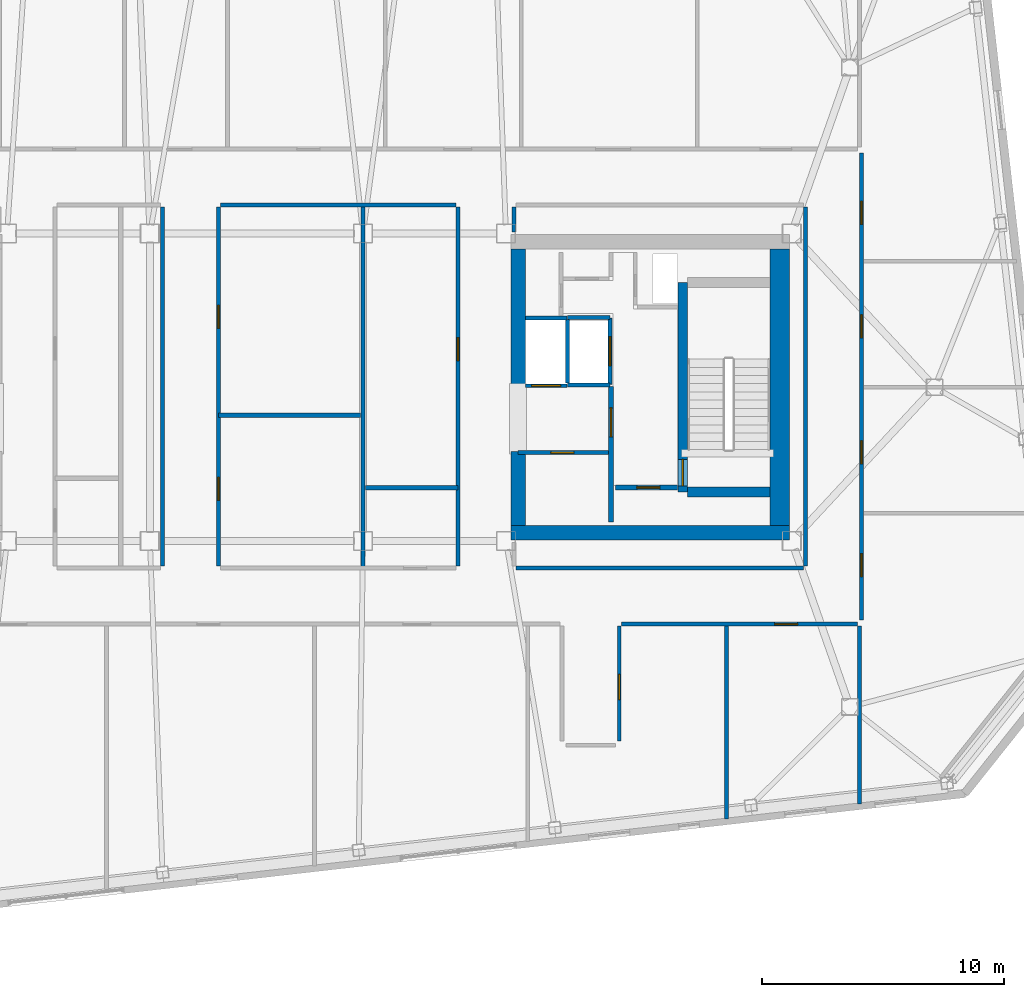
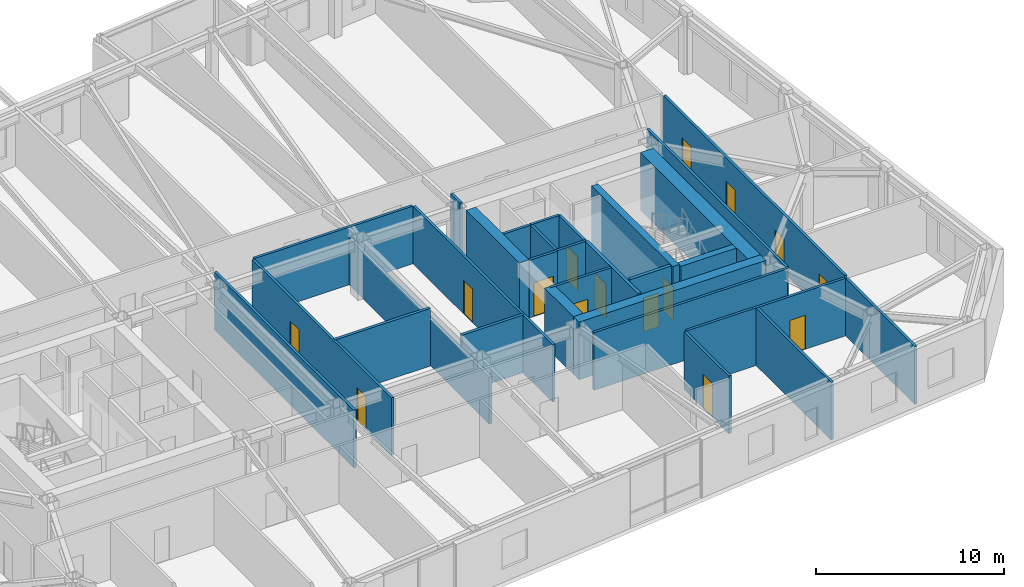
# One storey, part 16 of 21: 30 walls, 15 doors, 15 openings.
"""IFC4 building model written with IfcOpenShell, lengths in metres."""

from ifc_helpers import new_model, si_unit, direction, frame, frame_2d, origin, place, context, subcontext, project, spatial, rectangle, extrude, material, layer, layer_set, type_object, element, fill, save


model = new_model("IFC4")

# Units and contexts
model_context = context("Model", 3, precision=1e-05, world=origin(), true_north=direction((0.0, 1.0)))
body_context = subcontext(model_context, "Body", "Model", "MODEL_VIEW")
ifc_project = project(units=[si_unit("LENGTHUNIT", "METRE"), si_unit("AREAUNIT", "SQUARE_METRE"), si_unit("VOLUMEUNIT", "CUBIC_METRE"), si_unit("PLANEANGLEUNIT", "RADIAN"), si_unit("MASSUNIT", "GRAM", prefix="KILO")], contexts=[model_context])

# Site, building, storey
site_placement = place(None, origin())
site = spatial("IfcSite", under=ifc_project, at=site_placement, CompositionType="ELEMENT")
building_placement = place(site_placement, origin())
building = spatial("IfcBuilding", under=site, at=building_placement, Name="Tavrogorsk Clinical Tower", CompositionType="ELEMENT")
storey_placement = place(building_placement, frame((0.0, 0.0, 247.0)))
storey = spatial("IfcBuildingStorey", under=building, at=storey_placement, Name="L57", CompositionType="ELEMENT", Elevation=247.0)

# Wall, opening, door
ifc_material_1 = material(Name="Concrete B60", Category="concrete")
ifc_layer_1 = layer(ifc_material_1, 0.199951171875)
ifc_layer_set_1 = layer_set([ifc_layer_1], Name="Concrete B60")
wall_type_1 = type_object("IfcWallType", Name="CoreFireWall_200", PredefinedType="SOLIDWALL", material=ifc_layer_set_1)
wall_1_placement = place(storey_placement, frame((14.824951171875, -4.139892578125, 0.0), z_axis=(0.0, 0.0, 1.0), x_axis=(1.0, 0.0, 0.0)))
wall_1 = element("IfcWall", 1, at=wall_1_placement, inside=storey, type_object=wall_type_1, Name="L57 Core East South Core Room Fire Wall", PredefinedType="SOLIDWALL", context=body_context, shape_type="SweptSolid", body=[
    extrude(rectangle(XDim=2.554931640625, YDim=0.199951171875, at=frame_2d((1.27734375, 0.0))), origin(), (0.0, 0.0, 1.0), 3.739990234375),
])
opening_1_placement = place(wall_1_placement, frame((0.8798828125, 0.0, 0.0)))
opening_1 = element("IfcOpeningElement", 2, at=opening_1_placement, cuts=wall_1, Name="Opening ID-02", PredefinedType="OPENING", context=body_context, shape_type="SweptSolid", body=[
    extrude(rectangle(XDim=0.949951171875, YDim=2.199951171875, at=frame_2d((0.47509765625, 1.10009765625))), frame((0.0, 0.10986328125, 0.0), z_axis=(0.0, -1.0, 0.0), x_axis=(1.0, 0.0, 0.0)), (0.0, 0.0, 1.0), 0.219970703125),
])
ifc_material_2 = material(Name="Laminated timber leaf on aluminium frame", Category="wood")
door_type_1 = type_object("IfcDoorType", Name="InteriorDoor_ID02_950", OperationType="NOTDEFINED", PredefinedType="DOOR", material=ifc_material_2)
door_1_placement = place(opening_1_placement, origin())
door_1 = element("IfcDoor", 3, at=door_1_placement, inside=storey, type_object=door_type_1, Name="L57 Core East South Core Room Door", OperationType="SINGLE_SWING_RIGHT", OverallHeight=2.199951171875, OverallWidth=0.949951171875, PredefinedType="DOOR", context=body_context, shape_type="SweptSolid", body=[
    extrude(rectangle(XDim=0.949951171875, YDim=2.199951171875, at=frame_2d((0.47509765625, 1.10009765625))), frame((0.0, 0.02490234375, 0.0), z_axis=(0.0, -1.0, 0.0), x_axis=(1.0, 0.0, 0.0)), (0.0, 0.0, 1.0), 0.050048828125),
])
fill(opening_1, door_1)

wall_2_placement = place(storey_placement, frame((14.639892578125, -5.56005859375, 0.0), z_axis=(0.0, 0.0, 1.0), x_axis=(0.0, 1.0, 0.0)))
wall_2 = element("IfcWall", 4, at=wall_2_placement, inside=storey, type_object=wall_type_1, Name="L57 Core East Firefighting Lobby Fire Wall", PredefinedType="SOLIDWALL", context=body_context, shape_type="SweptSolid", body=[
    extrude(rectangle(XDim=5.60009765625, YDim=0.199951171875, at=frame_2d((2.800048828125, 0.0))), origin(), (0.0, 0.0, 1.0), 3.739990234375),
])
opening_2_placement = place(wall_2_placement, frame((3.510009765625, 0.0, 0.0)))
opening_2 = element("IfcOpeningElement", 5, at=opening_2_placement, cuts=wall_2, Name="Opening FD-01", PredefinedType="OPENING", context=body_context, shape_type="SweptSolid", body=[
    extrude(rectangle(XDim=1.199951171875, YDim=2.199951171875, at=frame_2d((0.60009765625, 1.10009765625))), frame((0.0, 0.10986328125, 0.0), z_axis=(0.0, -1.0, 0.0), x_axis=(1.0, 0.0, 0.0)), (0.0, 0.0, 1.0), 0.219970703125),
])
ifc_material_3 = material(Name="Galvanised steel fire-rated door assembly", Category="steel")
door_type_2 = type_object("IfcDoorType", Name="FireDoor_FD01_1200", OperationType="NOTDEFINED", PredefinedType="DOOR", material=ifc_material_3)
door_2_placement = place(opening_2_placement, origin())
door_2 = element("IfcDoor", 6, at=door_2_placement, inside=storey, type_object=door_type_2, Name="L57 Core East Firefighting Lobby Entry Door", OperationType="SINGLE_SWING_RIGHT", OverallHeight=2.199951171875, OverallWidth=1.199951171875, PredefinedType="DOOR", context=body_context, shape_type="SweptSolid", body=[
    extrude(rectangle(XDim=1.199951171875, YDim=2.199951171875, at=frame_2d((0.60009765625, 1.10009765625))), frame((0.0, 0.02490234375, 0.0), z_axis=(0.0, -1.0, 0.0), x_axis=(1.0, 0.0, 0.0)), (0.0, 0.0, 1.0), 0.050048828125),
])
fill(opening_2, door_2)

ifc_material_4 = material(Name="Lightweight concrete blockwork B15", Category="masonry")
ifc_layer_2 = layer(ifc_material_4, 0.159912109375)
ifc_layer_set_2 = layer_set([ifc_layer_2], Name="Lightweight concrete blockwork B15")
wall_type_2 = type_object("IfcWallType", Name="PartitionWall_160", PredefinedType="PARTITIONING", material=ifc_layer_set_2)
wall_3_placement = place(storey_placement, frame((10.800048828125, -2.699951171875, 0.0), z_axis=(0.0, 0.0, 1.0), x_axis=(1.0, 0.0, 0.0)))
wall_3 = element("IfcWall", 7, at=wall_3_placement, inside=storey, type_object=wall_type_2, Name="L57 Core East Freed Mid-Bank North Partition", PredefinedType="PARTITIONING", context=body_context, shape_type="SweptSolid", body=[
    extrude(rectangle(XDim=3.73486328125, YDim=0.159912109375, at=frame_2d((1.867431640625, 0.0))), origin(), (0.0, 0.0, 1.0), 3.739990234375),
])
opening_3_placement = place(wall_3_placement, frame((1.35009765625, 0.0, 0.0)))
opening_3 = element("IfcOpeningElement", 8, at=opening_3_placement, cuts=wall_3, Name="Opening ID-02", PredefinedType="OPENING", context=body_context, shape_type="SweptSolid", body=[
    extrude(rectangle(XDim=0.949951171875, YDim=2.199951171875, at=frame_2d((0.47509765625, 1.10009765625))), frame((0.0, 0.08984375, 0.0), z_axis=(0.0, -1.0, 0.0), x_axis=(1.0, 0.0, 0.0)), (0.0, 0.0, 1.0), 0.179931640625),
])
door_3_placement = place(opening_3_placement, origin())
door_3 = element("IfcDoor", 9, at=door_3_placement, inside=storey, type_object=door_type_1, Name="L57 Core East Pharmacy Prep Door", OperationType="SINGLE_SWING_LEFT", OverallHeight=2.199951171875, OverallWidth=0.949951171875, PredefinedType="DOOR", context=body_context, shape_type="SweptSolid", body=[
    extrude(rectangle(XDim=0.949951171875, YDim=2.199951171875, at=frame_2d((0.47509765625, 1.10009765625))), frame((0.0, 0.02490234375, 0.0), z_axis=(0.0, -1.0, 0.0), x_axis=(1.0, 0.0, 0.0)), (0.0, 0.0, 1.0), 0.050048828125),
])
fill(opening_3, door_3)

# Wall, openings, doors
wall_4_placement = place(storey_placement, frame((24.97998046875, 9.6650390625, 0.0), z_axis=(0.0, 0.0, 1.0), x_axis=(0.0, -1.0, 0.0)))
wall_4 = element("IfcWall", 10, at=wall_4_placement, inside=storey, type_object=wall_type_2, Name="L57 Corridor Partition 03", PredefinedType="PARTITIONING", context=body_context, shape_type="SweptSolid", body=[
    extrude(rectangle(XDim=19.280029296875, YDim=0.159912109375, at=frame_2d((9.64013671875, 0.0))), origin(), (0.0, 0.0, 1.0), 3.739990234375),
])
opening_4_placement = place(wall_4_placement, frame((16.531005859375, 0.0, 0.0)))
opening_4 = element("IfcOpeningElement", 11, at=opening_4_placement, cuts=wall_4, Name="Opening ID-02", PredefinedType="OPENING", context=body_context, shape_type="SweptSolid", body=[
    extrude(rectangle(XDim=0.949951171875, YDim=2.199951171875, at=frame_2d((0.47509765625, 1.10009765625))), frame((0.0, 0.08984375, 0.0), z_axis=(0.0, -1.0, 0.0), x_axis=(1.0, 0.0, 0.0)), (0.0, 0.0, 1.0), 0.179931640625),
])
opening_5_placement = place(wall_4_placement, frame((11.875, 0.0, 0.0)))
opening_5 = element("IfcOpeningElement", 12, at=opening_5_placement, cuts=wall_4, Name="Opening ID-02", PredefinedType="OPENING", context=body_context, shape_type="SweptSolid", body=[
    extrude(rectangle(XDim=0.949951171875, YDim=2.199951171875, at=frame_2d((0.47509765625, 1.10009765625))), frame((0.0, 0.08984375, 0.0), z_axis=(0.0, -1.0, 0.0), x_axis=(1.0, 0.0, 0.0)), (0.0, 0.0, 1.0), 0.179931640625),
])
opening_6_placement = place(wall_4_placement, frame((6.675048828125, 0.0, 0.0)))
opening_6 = element("IfcOpeningElement", 13, at=opening_6_placement, cuts=wall_4, Name="Opening ID-02", PredefinedType="OPENING", context=body_context, shape_type="SweptSolid", body=[
    extrude(rectangle(XDim=0.949951171875, YDim=2.199951171875, at=frame_2d((0.47509765625, 1.10009765625))), frame((0.0, 0.08984375, 0.0), z_axis=(0.0, -1.0, 0.0), x_axis=(1.0, 0.0, 0.0)), (0.0, 0.0, 1.0), 0.179931640625),
])
opening_7_placement = place(wall_4_placement, frame((1.994140625, 0.0, 0.0)))
opening_7 = element("IfcOpeningElement", 14, at=opening_7_placement, cuts=wall_4, Name="Opening ID-02", PredefinedType="OPENING", context=body_context, shape_type="SweptSolid", body=[
    extrude(rectangle(XDim=0.949951171875, YDim=2.199951171875, at=frame_2d((0.47509765625, 1.10009765625))), frame((0.0, 0.08984375, 0.0), z_axis=(0.0, -1.0, 0.0), x_axis=(1.0, 0.0, 0.0)), (0.0, 0.0, 1.0), 0.179931640625),
])
door_4_placement = place(opening_4_placement, origin())
door_4 = element("IfcDoor", 15, at=door_4_placement, inside=storey, type_object=door_type_1, Name="L57 E Senior Clinician Suite 1 Door", OperationType="SINGLE_SWING_RIGHT", OverallHeight=2.199951171875, OverallWidth=0.949951171875, PredefinedType="DOOR", context=body_context, shape_type="SweptSolid", body=[
    extrude(rectangle(XDim=0.949951171875, YDim=2.199951171875, at=frame_2d((0.47509765625, 1.10009765625))), frame((0.0, 0.02490234375, 0.0), z_axis=(0.0, -1.0, 0.0), x_axis=(1.0, 0.0, 0.0)), (0.0, 0.0, 1.0), 0.050048828125),
])
fill(opening_4, door_4)
door_5_placement = place(opening_5_placement, origin())
door_5 = element("IfcDoor", 16, at=door_5_placement, inside=storey, type_object=door_type_1, Name="L57 E Multidisciplinary Seminar Suite 2 Door", OperationType="SINGLE_SWING_LEFT", OverallHeight=2.199951171875, OverallWidth=0.949951171875, PredefinedType="DOOR", context=body_context, shape_type="SweptSolid", body=[
    extrude(rectangle(XDim=0.949951171875, YDim=2.199951171875, at=frame_2d((0.47509765625, 1.10009765625))), frame((0.0, 0.02490234375, 0.0), z_axis=(0.0, -1.0, 0.0), x_axis=(1.0, 0.0, 0.0)), (0.0, 0.0, 1.0), 0.050048828125),
])
fill(opening_5, door_5)
door_6_placement = place(opening_6_placement, origin())
door_6 = element("IfcDoor", 17, at=door_6_placement, inside=storey, type_object=door_type_1, Name="L57 E Specialist Consultation Room 3 Door", OperationType="SINGLE_SWING_RIGHT", OverallHeight=2.199951171875, OverallWidth=0.949951171875, PredefinedType="DOOR", context=body_context, shape_type="SweptSolid", body=[
    extrude(rectangle(XDim=0.949951171875, YDim=2.199951171875, at=frame_2d((0.47509765625, 1.10009765625))), frame((0.0, 0.02490234375, 0.0), z_axis=(0.0, -1.0, 0.0), x_axis=(1.0, 0.0, 0.0)), (0.0, 0.0, 1.0), 0.050048828125),
])
fill(opening_6, door_6)
door_7_placement = place(opening_7_placement, origin())
door_7 = element("IfcDoor", 18, at=door_7_placement, inside=storey, type_object=door_type_1, Name="L57 E Clinical Fellows' Study 4 Door", OperationType="SINGLE_SWING_LEFT", OverallHeight=2.199951171875, OverallWidth=0.949951171875, PredefinedType="DOOR", context=body_context, shape_type="SweptSolid", body=[
    extrude(rectangle(XDim=0.949951171875, YDim=2.199951171875, at=frame_2d((0.47509765625, 1.10009765625))), frame((0.0, 0.02490234375, 0.0), z_axis=(0.0, -1.0, 0.0), x_axis=(1.0, 0.0, 0.0)), (0.0, 0.0, 1.0), 0.050048828125),
])
fill(opening_7, door_7)

# Wall, opening, door
wall_5_placement = place(storey_placement, frame((24.81494140625, -9.780029296875, 0.0), z_axis=(0.0, 0.0, 1.0), x_axis=(-1.0, 0.0, 0.0)))
wall_5 = element("IfcWall", 19, at=wall_5_placement, inside=storey, type_object=wall_type_2, Name="L57 Corridor Partition 04", PredefinedType="PARTITIONING", context=body_context, shape_type="SweptSolid", body=[
    extrude(rectangle(XDim=9.75, YDim=0.159912109375, at=frame_2d((4.875, 0.0))), origin(), (0.0, 0.0, 1.0), 3.739990234375),
])
opening_8_placement = place(wall_5_placement, frame((2.468994140625, 0.0, 0.0)))
opening_8 = element("IfcOpeningElement", 20, at=opening_8_placement, cuts=wall_5, Name="Opening ID-02", PredefinedType="OPENING", context=body_context, shape_type="SweptSolid", body=[
    extrude(rectangle(XDim=0.949951171875, YDim=2.199951171875, at=frame_2d((0.47509765625, 1.10009765625))), frame((0.0, 0.08984375, 0.0), z_axis=(0.0, -1.0, 0.0), x_axis=(1.0, 0.0, 0.0)), (0.0, 0.0, 1.0), 0.179931640625),
])
door_8_placement = place(opening_8_placement, origin())
door_8 = element("IfcDoor", 21, at=door_8_placement, inside=storey, type_object=door_type_1, Name="L57 South Attending Physician Office 07 Door", OperationType="SINGLE_SWING_LEFT", OverallHeight=2.199951171875, OverallWidth=0.949951171875, PredefinedType="DOOR", context=body_context, shape_type="SweptSolid", body=[
    extrude(rectangle(XDim=0.949951171875, YDim=2.199951171875, at=frame_2d((0.47509765625, 1.10009765625))), frame((0.0, 0.02490234375, 0.0), z_axis=(0.0, -1.0, 0.0), x_axis=(1.0, 0.0, 0.0)), (0.0, 0.0, 1.0), 0.050048828125),
])
fill(opening_8, door_8)

wall_6_placement = place(storey_placement, frame((14.97998046875, -9.864990234375, 0.0), z_axis=(0.0, 0.0, 1.0), x_axis=(0.0, -1.0, 0.0)))
wall_6 = element("IfcWall", 22, at=wall_6_placement, inside=storey, type_object=wall_type_2, Name="L57 Corridor Partition 05", PredefinedType="PARTITIONING", context=body_context, shape_type="SweptSolid", body=[
    extrude(rectangle(XDim=4.75, YDim=0.159912109375, at=frame_2d((2.375, 0.0))), origin(), (0.0, 0.0, 1.0), 3.739990234375),
])
opening_9_placement = place(wall_6_placement, frame((1.985107421875, 0.0, 0.0)))
opening_9 = element("IfcOpeningElement", 23, at=opening_9_placement, cuts=wall_6, Name="Opening ID-04", PredefinedType="OPENING", context=body_context, shape_type="SweptSolid", body=[
    extrude(rectangle(XDim=1.050048828125, YDim=2.199951171875, at=frame_2d((0.52490234375, 1.10009765625))), frame((0.0, 0.08984375, 0.0), z_axis=(0.0, -1.0, 0.0), x_axis=(1.0, 0.0, 0.0)), (0.0, 0.0, 1.0), 0.179931640625),
])
ifc_material_5 = material(Name="Antibacterial HPL consultation door on aluminium frame", Category="aluminium")
door_type_3 = type_object("IfcDoorType", Name="ConsultDoor_ID04_1050", OperationType="NOTDEFINED", PredefinedType="DOOR", material=ifc_material_5)
door_9_placement = place(opening_9_placement, origin())
door_9 = element("IfcDoor", 24, at=door_9_placement, inside=storey, type_object=door_type_3, Name="L57 South Cardiology Diagnostics Room 06 Door", OperationType="SINGLE_SWING_RIGHT", OverallHeight=2.199951171875, OverallWidth=1.050048828125, PredefinedType="DOOR", context=body_context, shape_type="SweptSolid", body=[
    extrude(rectangle(XDim=1.050048828125, YDim=2.199951171875, at=frame_2d((0.52490234375, 1.10009765625))), frame((0.0, 0.02490234375, 0.0), z_axis=(0.0, -1.0, 0.0), x_axis=(1.0, 0.0, 0.0)), (0.0, 0.0, 1.0), 0.050048828125),
])
fill(opening_9, door_9)

# Walls
wall_7_placement = place(storey_placement, frame((10.6298828125, 7.43505859375, 0.0), z_axis=(0.0, 0.0, 1.0), x_axis=(0.0, -1.0, 0.0)))
element("IfcWall", 25, at=wall_7_placement, inside=storey, type_object=wall_type_2, Name="L57 Corridor Partition 10", PredefinedType="PARTITIONING", context=body_context, shape_type="SweptSolid", body=[
    extrude(rectangle(XDim=1.01513671875, YDim=0.159912109375, at=frame_2d((0.507568359375, 0.0))), origin(), (0.0, 0.0, 1.0), 3.739990234375),
])
wall_8_placement = place(storey_placement, frame((10.715087890625, -7.469970703125, 0.0), z_axis=(0.0, 0.0, 1.0), x_axis=(1.0, 0.0, 0.0)))
element("IfcWall", 26, at=wall_8_placement, inside=storey, type_object=wall_type_2, Name="L57 Corridor Partition 12", PredefinedType="PARTITIONING", context=body_context, shape_type="SweptSolid", body=[
    extrude(rectangle(XDim=11.869873046875, YDim=0.159912109375, at=frame_2d((5.93505859375, 0.0))), origin(), (0.0, 0.0, 1.0), 3.739990234375),
])
wall_9_placement = place(storey_placement, frame((22.669921875, -7.385009765625, 0.0), z_axis=(0.0, 0.0, 1.0), x_axis=(0.0, 1.0, 0.0)))
element("IfcWall", 27, at=wall_9_placement, inside=storey, type_object=wall_type_2, Name="L57 Corridor Partition 13", PredefinedType="PARTITIONING", context=body_context, shape_type="SweptSolid", body=[
    extrude(rectangle(XDim=14.820068359375, YDim=0.159912109375, at=frame_2d((7.41015625, 0.0))), origin(), (0.0, 0.0, 1.0), 3.739990234375),
])
wall_10_placement = place(storey_placement, frame((8.235107421875, 7.52001953125, 0.0), z_axis=(0.0, 0.0, 1.0), x_axis=(-1.0, 0.0, 0.0)))
element("IfcWall", 28, at=wall_10_placement, inside=storey, type_object=wall_type_2, Name="L57 Corridor Partition 14", PredefinedType="PARTITIONING", context=body_context, shape_type="SweptSolid", body=[
    extrude(rectangle(XDim=9.72021484375, YDim=0.159912109375, at=frame_2d((4.860107421875, 0.0))), origin(), (0.0, 0.0, 1.0), 3.739990234375),
])

# Wall, openings, doors
wall_11_placement = place(storey_placement, frame((-1.570068359375, 7.43505859375, 0.0), z_axis=(0.0, 0.0, 1.0), x_axis=(0.0, -1.0, 0.0)))
wall_11 = element("IfcWall", 29, at=wall_11_placement, inside=storey, type_object=wall_type_2, Name="L57 Corridor Partition 15", PredefinedType="PARTITIONING", context=body_context, shape_type="SweptSolid", body=[
    extrude(rectangle(XDim=14.820068359375, YDim=0.159912109375, at=frame_2d((7.41015625, 0.0))), origin(), (0.0, 0.0, 1.0), 3.739990234375),
])
opening_10_placement = place(wall_11_placement, frame((11.160888671875, 0.0, 0.0)))
opening_10 = element("IfcOpeningElement", 30, at=opening_10_placement, cuts=wall_11, Name="Opening ID-02", PredefinedType="OPENING", context=body_context, shape_type="SweptSolid", body=[
    extrude(rectangle(XDim=0.949951171875, YDim=2.199951171875, at=frame_2d((0.47509765625, 1.10009765625))), frame((0.0, 0.08984375, 0.0), z_axis=(0.0, -1.0, 0.0), x_axis=(1.0, 0.0, 0.0)), (0.0, 0.0, 1.0), 0.179931640625),
])
opening_11_placement = place(wall_11_placement, frame((4.05419921875, 0.0, 0.0)))
opening_11 = element("IfcOpeningElement", 31, at=opening_11_placement, cuts=wall_11, Name="Opening ID-02", PredefinedType="OPENING", context=body_context, shape_type="SweptSolid", body=[
    extrude(rectangle(XDim=0.949951171875, YDim=2.199951171875, at=frame_2d((0.47509765625, 1.10009765625))), frame((0.0, 0.08984375, 0.0), z_axis=(0.0, -1.0, 0.0), x_axis=(1.0, 0.0, 0.0)), (0.0, 0.0, 1.0), 0.179931640625),
])
door_10_placement = place(opening_10_placement, origin())
door_10 = element("IfcDoor", 32, at=door_10_placement, inside=storey, type_object=door_type_1, Name="L57 Multidisciplinary Conference Room Door", OperationType="SINGLE_SWING_RIGHT", OverallHeight=2.199951171875, OverallWidth=0.949951171875, PredefinedType="DOOR", context=body_context, shape_type="SweptSolid", body=[
    extrude(rectangle(XDim=0.949951171875, YDim=2.199951171875, at=frame_2d((0.47509765625, 1.10009765625))), frame((0.0, 0.02490234375, 0.0), z_axis=(0.0, -1.0, 0.0), x_axis=(1.0, 0.0, 0.0)), (0.0, 0.0, 1.0), 0.050048828125),
])
fill(opening_10, door_10)
door_11_placement = place(opening_11_placement, origin())
door_11 = element("IfcDoor", 33, at=door_11_placement, inside=storey, type_object=door_type_1, Name="L57 Nurses' Station & Triage Hub Door", OperationType="SINGLE_SWING_LEFT", OverallHeight=2.199951171875, OverallWidth=0.949951171875, PredefinedType="DOOR", context=body_context, shape_type="SweptSolid", body=[
    extrude(rectangle(XDim=0.949951171875, YDim=2.199951171875, at=frame_2d((0.47509765625, 1.10009765625))), frame((0.0, 0.02490234375, 0.0), z_axis=(0.0, -1.0, 0.0), x_axis=(1.0, 0.0, 0.0)), (0.0, 0.0, 1.0), 0.050048828125),
])
fill(opening_11, door_11)

# Wall, opening, door
wall_12_placement = place(storey_placement, frame((8.320068359375, -7.385009765625, 0.0), z_axis=(0.0, 0.0, 1.0), x_axis=(0.0, 1.0, 0.0)))
wall_12 = element("IfcWall", 34, at=wall_12_placement, inside=storey, type_object=wall_type_2, Name="L57 Corridor Partition 17", PredefinedType="PARTITIONING", context=body_context, shape_type="SweptSolid", body=[
    extrude(rectangle(XDim=14.820068359375, YDim=0.159912109375, at=frame_2d((7.41015625, 0.0))), origin(), (0.0, 0.0, 1.0), 3.739990234375),
])
opening_12_placement = place(wall_12_placement, frame((8.48583984375, 0.0, 0.0)))
opening_12 = element("IfcOpeningElement", 35, at=opening_12_placement, cuts=wall_12, Name="Opening ID-02", PredefinedType="OPENING", context=body_context, shape_type="SweptSolid", body=[
    extrude(rectangle(XDim=0.949951171875, YDim=2.199951171875, at=frame_2d((0.47509765625, 1.10009765625))), frame((0.0, 0.08984375, 0.0), z_axis=(0.0, -1.0, 0.0), x_axis=(1.0, 0.0, 0.0)), (0.0, 0.0, 1.0), 0.179931640625),
])
door_12_placement = place(opening_12_placement, origin())
door_12 = element("IfcDoor", 36, at=door_12_placement, inside=storey, type_object=door_type_1, Name="L57 Attending Physician Office Door", OperationType="SINGLE_SWING_LEFT", OverallHeight=2.199951171875, OverallWidth=0.949951171875, PredefinedType="DOOR", context=body_context, shape_type="SweptSolid", body=[
    extrude(rectangle(XDim=0.949951171875, YDim=2.199951171875, at=frame_2d((0.47509765625, 1.10009765625))), frame((0.0, 0.02490234375, 0.0), z_axis=(0.0, -1.0, 0.0), x_axis=(1.0, 0.0, 0.0)), (0.0, 0.0, 1.0), 0.050048828125),
])
fill(opening_12, door_12)

# Walls
wall_13_placement = place(storey_placement, frame((-3.8798828125, -7.385009765625, 0.0), z_axis=(0.0, 0.0, 1.0), x_axis=(0.0, 1.0, 0.0)))
element("IfcWall", 37, at=wall_13_placement, inside=storey, type_object=wall_type_2, Name="L57 Corridor Partition 18", PredefinedType="PARTITIONING", context=body_context, shape_type="SweptSolid", body=[
    extrude(rectangle(XDim=14.820068359375, YDim=0.159912109375, at=frame_2d((7.41015625, 0.0))), origin(), (0.0, 0.0, 1.0), 3.739990234375),
])
wall_14_placement = place(storey_placement, frame((24.89990234375, -17.199462890625, 0.0), z_axis=(0.0, 0.0, 1.0), x_axis=(0.0, 1.0, 0.0)))
element("IfcWall", 38, at=wall_14_placement, inside=storey, type_object=wall_type_2, Name="L57 SE Wing Closure Partition", PredefinedType="PARTITIONING", context=body_context, shape_type="SweptSolid", body=[
    extrude(rectangle(XDim=7.33447265625, YDim=0.159912109375, at=frame_2d((3.667236328125, 0.0))), origin(), (0.0, 0.0, 1.0), 3.739990234375),
])
wall_15_placement = place(storey_placement, frame((19.39990234375, -17.825927734375, 0.0), z_axis=(0.0, 0.0, 1.0), x_axis=(0.0, 1.0, 0.0)))
element("IfcWall", 39, at=wall_15_placement, inside=storey, type_object=wall_type_2, Name="L57 South Room Partition 6", PredefinedType="PARTITIONING", context=body_context, shape_type="SweptSolid", body=[
    extrude(rectangle(XDim=7.9609375, YDim=0.159912109375, at=frame_2d((3.98046875, 0.0))), origin(), (0.0, 0.0, 1.0), 3.739990234375),
])
ifc_material_6 = material(Name="Lightweight concrete blockwork B20", Category="masonry")
ifc_layer_3 = layer(ifc_material_6, 0.179931640625)
ifc_layer_set_3 = layer_set([ifc_layer_3], Name="Lightweight concrete blockwork B20")
wall_type_3 = type_object("IfcWallType", Name="PartitionWall_180", PredefinedType="PARTITIONING", material=ifc_layer_set_3)
wall_16_placement = place(storey_placement, frame((4.39990234375, -7.465087890625, 0.0), z_axis=(0.0, 0.0, 1.0), x_axis=(0.0, 1.0, 0.0)))
element("IfcWall", 40, at=wall_16_placement, inside=storey, type_object=wall_type_3, Name="L57 Central Spine Partition 2", PredefinedType="PARTITIONING", context=body_context, shape_type="SweptSolid", body=[
    extrude(rectangle(XDim=14.97998046875, YDim=0.179931640625, at=frame_2d((7.489990234375, 0.0))), origin(), (0.0, 0.0, 1.0), 3.034912109375),
])
wall_17_placement = place(storey_placement, frame((-1.56494140625, -1.14990234375, 0.0), z_axis=(0.0, 0.0, 1.0), x_axis=(1.0, 0.0, 0.0)))
element("IfcWall", 41, at=wall_17_placement, inside=storey, type_object=wall_type_3, Name="L57 Central Spine Partition 3", PredefinedType="PARTITIONING", context=body_context, shape_type="SweptSolid", body=[
    extrude(rectangle(XDim=5.869873046875, YDim=0.179931640625, at=frame_2d((2.93505859375, 0.0))), origin(), (0.0, 0.0, 1.0), 3.739990234375),
])
wall_18_placement = place(storey_placement, frame((4.4951171875, -4.14990234375, 0.0), z_axis=(0.0, 0.0, 1.0), x_axis=(1.0, 0.0, 0.0)))
element("IfcWall", 42, at=wall_18_placement, inside=storey, type_object=wall_type_3, Name="L57 Central Spine Partition 5", PredefinedType="PARTITIONING", context=body_context, shape_type="SweptSolid", body=[
    extrude(rectangle(XDim=3.81982421875, YDim=0.179931640625, at=frame_2d((1.909912109375, 0.0))), origin(), (0.0, 0.0, 1.0), 3.739990234375),
])

# Wall, opening, door
ifc_material_7 = material(Name="Lightweight concrete blockwork B25", Category="masonry")
ifc_layer_4 = layer(ifc_material_7, 0.159912109375)
ifc_layer_set_4 = layer_set([ifc_layer_4], Name="Lightweight concrete blockwork B25")
wall_type_4 = type_object("IfcWallType", Name="ShaftWall_160", PredefinedType="PARTITIONING", material=ifc_layer_set_4)
wall_19_placement = place(storey_placement, frame((14.60009765625, 0.1201171875, 0.0), z_axis=(0.0, 0.0, 1.0), x_axis=(0.0, 1.0, 0.0)))
wall_19 = element("IfcWall", 43, at=wall_19_placement, inside=storey, type_object=wall_type_4, Name="L57 FFL-E Firefighting Lift Front Wall", PredefinedType="PARTITIONING", context=body_context, shape_type="SweptSolid", body=[
    extrude(rectangle(XDim=2.739990234375, YDim=0.159912109375, at=frame_2d((1.3701171875, 0.0))), origin(), (0.0, 0.0, 1.0), 3.739990234375),
])
opening_13_placement = place(wall_19_placement, frame((0.77001953125, 0.0, 0.0)))
opening_13 = element("IfcOpeningElement", 44, at=opening_13_placement, cuts=wall_19, Name="Opening LD", PredefinedType="OPENING", context=body_context, shape_type="SweptSolid", body=[
    extrude(rectangle(XDim=1.199951171875, YDim=2.199951171875, at=frame_2d((0.60009765625, 1.10009765625))), frame((0.0, 0.08984375, 0.0), z_axis=(0.0, -1.0, 0.0), x_axis=(1.0, 0.0, 0.0)), (0.0, 0.0, 1.0), 0.179931640625),
])
ifc_material_8 = material(Name="Brushed stainless steel AISI 304 sliding doors", Category="steel")
door_type_4 = type_object("IfcDoorType", Name="LiftLandingDoor_LD_1200", OperationType="SLIDING_TO_LEFT", PredefinedType="DOOR", material=ifc_material_8)
door_13_placement = place(opening_13_placement, origin())
door_13 = element("IfcDoor", 45, at=door_13_placement, inside=storey, type_object=door_type_4, Name="L57 FFL-E Sliding Lift Landing Door", OperationType="SLIDING_TO_LEFT", OverallHeight=2.199951171875, OverallWidth=1.199951171875, PredefinedType="DOOR", context=body_context, shape_type="SweptSolid", body=[
    extrude(rectangle(XDim=1.199951171875, YDim=2.199951171875, at=frame_2d((0.60009765625, 1.10009765625))), frame((0.0, 0.02490234375, 0.0), z_axis=(0.0, -1.0, 0.0), x_axis=(1.0, 0.0, 0.0)), (0.0, 0.0, 1.0), 0.050048828125),
])
fill(opening_13, door_13)

# Walls
for number, where, z_axis, x_axis, name in (
    (46, (12.840087890625, 0.10009765625, 0.0), (0.0, 0.0, 1.0), (1.0, 0.0, 0.0), "L57 FFL-E Shaft South Wall"),
    (47, (12.840087890625, 2.8798828125, 0.0), (0.0, 0.0, 1.0), (1.0, 0.0, 0.0), "L57 FFL-E Shaft North Wall"),
):
    element("IfcWall", number, at=place(storey_placement, frame(where, z_axis=z_axis, x_axis=x_axis)), inside=storey, type_object=wall_type_4, Name=name, PredefinedType="PARTITIONING", context=body_context, shape_type="SweptSolid", body=[
        extrude(rectangle(XDim=1.760009765625, YDim=0.159912109375, at=frame_2d((0.8798828125, 0.0))), origin(), (0.0, 0.0, 1.0), 3.739990234375),
    ])
wall_20_placement = place(storey_placement, frame((12.840087890625, 0.179931640625, 0.0), z_axis=(0.0, 0.0, 1.0), x_axis=(0.0, 1.0, 0.0)))
element("IfcWall", 48, at=wall_20_placement, inside=storey, type_object=wall_type_4, Name="L57 FFL-E Shaft Back Wall", PredefinedType="PARTITIONING", context=body_context, shape_type="SweptSolid", body=[
    extrude(rectangle(XDim=2.6201171875, YDim=0.159912109375, at=frame_2d((1.31005859375, 0.0))), origin(), (0.0, 0.0, 1.0), 3.739990234375),
])

# Wall, opening, door
wall_21_placement = place(storey_placement, frame((11.10009765625, 0.06005859375, 0.0), z_axis=(0.0, 0.0, 1.0), x_axis=(1.0, 0.0, 0.0)))
wall_21 = element("IfcWall", 49, at=wall_21_placement, inside=storey, type_object=wall_type_4, Name="L57 LP-H2 High-Zone Lift Portal Wall", PredefinedType="PARTITIONING", context=body_context, shape_type="SweptSolid", body=[
    extrude(rectangle(XDim=1.719970703125, YDim=0.159912109375, at=frame_2d((0.85986328125, 0.0))), origin(), (0.0, 0.0, 1.0), 3.739990234375),
])
opening_14_placement = place(wall_21_placement, frame((0.260009765625, 0.0, 0.0)))
opening_14 = element("IfcOpeningElement", 50, at=opening_14_placement, cuts=wall_21, Name="Opening LD", PredefinedType="OPENING", context=body_context, shape_type="SweptSolid", body=[
    extrude(rectangle(XDim=1.199951171875, YDim=2.199951171875, at=frame_2d((0.60009765625, 1.10009765625))), frame((0.0, 0.08984375, 0.0), z_axis=(0.0, -1.0, 0.0), x_axis=(1.0, 0.0, 0.0)), (0.0, 0.0, 1.0), 0.179931640625),
])
door_14_placement = place(opening_14_placement, origin())
door_14 = element("IfcDoor", 51, at=door_14_placement, inside=storey, type_object=door_type_4, Name="L57 LP-H2 Sliding Lift Landing Door", OperationType="SLIDING_TO_LEFT", OverallHeight=2.199951171875, OverallWidth=1.199951171875, PredefinedType="DOOR", context=body_context, shape_type="SweptSolid", body=[
    extrude(rectangle(XDim=1.199951171875, YDim=2.199951171875, at=frame_2d((0.60009765625, 1.10009765625))), frame((0.0, 0.02490234375, 0.0), z_axis=(0.0, -1.0, 0.0), x_axis=(1.0, 0.0, 0.0)), (0.0, 0.0, 1.0), 0.050048828125),
])
fill(opening_14, door_14)

# Wall
wall_22_placement = place(storey_placement, frame((11.10009765625, 2.860107421875, 0.0), z_axis=(0.0, 0.0, 1.0), x_axis=(1.0, 0.0, 0.0)))
element("IfcWall", 52, at=wall_22_placement, inside=storey, type_object=wall_type_4, Name="L57 LP-H2 High-Zone Lift Rear Wall", PredefinedType="PARTITIONING", context=body_context, shape_type="SweptSolid", body=[
    extrude(rectangle(XDim=1.719970703125, YDim=0.159912109375, at=frame_2d((0.85986328125, 0.0))), origin(), (0.0, 0.0, 1.0), 3.739990234375),
])

# Wall, opening, door
ifc_material_9 = material(Name="Concrete B80", Category="concrete")
ifc_layer_5 = layer(ifc_material_9, 0.39990234375)
ifc_layer_set_5 = layer_set([ifc_layer_5], Name="Concrete B80")
wall_type_5 = type_object("IfcWallType", Name="ShearWall_400", PredefinedType="SHEAR", material=ifc_layer_set_5)
wall_23_placement = place(storey_placement, frame((17.60009765625, -4.324951171875, 0.0), z_axis=(0.0, 0.0, 1.0), x_axis=(0.0, 1.0, 0.0)))
wall_23 = element("IfcWall", 53, at=wall_23_placement, inside=storey, type_object=wall_type_5, Name="L57 Core East Stair Shaft Inner Shear Wall", PredefinedType="SHEAR", context=body_context, shape_type="SweptSolid", body=[
    extrude(rectangle(XDim=8.64990234375, YDim=0.39990234375, at=frame_2d((4.324951171875, 0.0))), origin(), (0.0, 0.0, 1.0), 3.739990234375),
])
opening_15_placement = place(wall_23_placement, frame((0.25, 0.0, 0.0)))
opening_15 = element("IfcOpeningElement", 54, at=opening_15_placement, cuts=wall_23, Name="Opening SD-01", PredefinedType="OPENING", context=body_context, shape_type="SweptSolid", body=[
    extrude(rectangle(XDim=1.10009765625, YDim=2.199951171875, at=frame_2d((0.550048828125, 1.10009765625))), frame((0.0, 0.2099609375, 0.0), z_axis=(0.0, -1.0, 0.0), x_axis=(1.0, 0.0, 0.0)), (0.0, 0.0, 1.0), 0.419921875),
])
ifc_material_10 = material(Name="Galvanised steel smoke-tight fire door assembly", Category="steel")
door_type_5 = type_object("IfcDoorType", Name="StairFireDoor_SD01_1100", OperationType="NOTDEFINED", PredefinedType="DOOR", material=ifc_material_10)
door_15_placement = place(opening_15_placement, origin())
door_15 = element("IfcDoor", 55, at=door_15_placement, inside=storey, type_object=door_type_5, Name="L57 ST-E Exit Stair Door", OperationType="SINGLE_SWING_LEFT", OverallHeight=2.199951171875, OverallWidth=1.10009765625, PredefinedType="DOOR", context=body_context, shape_type="SweptSolid", body=[
    extrude(rectangle(XDim=1.10009765625, YDim=2.199951171875, at=frame_2d((0.550048828125, 1.10009765625))), frame((0.0, 0.02490234375, 0.0), z_axis=(0.0, -1.0, 0.0), x_axis=(1.0, 0.0, 0.0)), (0.0, 0.0, 1.0), 0.050048828125),
])
fill(opening_15, door_15)

# Walls
wall_24_placement = place(storey_placement, frame((17.800048828125, -4.324951171875, 0.0), z_axis=(0.0, 0.0, 1.0), x_axis=(1.0, 0.0, 0.0)))
element("IfcWall", 56, at=wall_24_placement, inside=storey, type_object=wall_type_5, Name="L57 Core East Stair Shaft South Shear Wall", PredefinedType="SHEAR", context=body_context, shape_type="SweptSolid", body=[
    extrude(rectangle(XDim=3.39990234375, YDim=0.39990234375, at=frame_2d((1.699951171875, 0.0))), origin(), (0.0, 0.0, 1.0), 3.739990234375),
])
ifc_material_11 = material(Name="Concrete B80", Category="concrete")
ifc_layer_6 = layer(ifc_material_11, 0.60009765625)
ifc_layer_set_6 = layer_set([ifc_layer_6], Name="Concrete B80")
wall_type_6 = type_object("IfcWallType", Name="ShearWall_600", PredefinedType="SHEAR", material=ifc_layer_set_6)
wall_25_placement = place(storey_placement, frame((10.5, -6.0, 0.0), z_axis=(0.0, 0.0, 1.0), x_axis=(1.0, 0.0, 0.0)))
element("IfcWall", 57, at=wall_25_placement, inside=storey, type_object=wall_type_6, Name="L57 Core East South Shear Wall", PredefinedType="SHEAR", context=body_context, shape_type="SweptSolid", body=[
    extrude(rectangle(XDim=11.5, YDim=0.60009765625, at=frame_2d((5.75, 0.0))), origin(), (0.0, 0.0, 1.0), 3.739990234375),
])
wall_26_placement = place(storey_placement, frame((10.800048828125, -5.699951171875, 0.0), z_axis=(0.0, 0.0, 1.0), x_axis=(0.0, 1.0, 0.0)))
element("IfcWall", 58, at=wall_26_placement, inside=storey, type_object=wall_type_6, Name="L57 Core East Inner South Pier", PredefinedType="SHEAR", context=body_context, shape_type="SweptSolid", body=[
    extrude(rectangle(XDim=3.050048828125, YDim=0.60009765625, at=frame_2d((1.52490234375, 0.0))), origin(), (0.0, 0.0, 1.0), 3.739990234375),
])
wall_27_placement = place(storey_placement, frame((10.800048828125, 0.050048828125, 0.0), z_axis=(0.0, 0.0, 1.0), x_axis=(0.0, 1.0, 0.0)))
element("IfcWall", 59, at=wall_27_placement, inside=storey, type_object=wall_type_6, Name="L57 Core East Inner North Pier", PredefinedType="SHEAR", context=body_context, shape_type="SweptSolid", body=[
    extrude(rectangle(XDim=5.64990234375, YDim=0.60009765625, at=frame_2d((2.824951171875, 0.0))), origin(), (0.0, 0.0, 1.0), 3.739990234375),
])
ifc_material_12 = material(Name="Concrete B80", Category="concrete")
ifc_layer_7 = layer(ifc_material_12, 0.800048828125)
ifc_layer_set_7 = layer_set([ifc_layer_7], Name="Concrete B80")
wall_type_7 = type_object("IfcWallType", Name="ShearWall_800", PredefinedType="SHEAR", material=ifc_layer_set_7)
wall_28_placement = place(storey_placement, frame((21.60009765625, -5.699951171875, 0.0), z_axis=(0.0, 0.0, 1.0), x_axis=(0.0, 1.0, 0.0)))
element("IfcWall", 60, at=wall_28_placement, inside=storey, type_object=wall_type_7, Name="L57 Core East End Shear Wall", PredefinedType="SHEAR", context=body_context, shape_type="SweptSolid", body=[
    extrude(rectangle(XDim=11.39990234375, YDim=0.800048828125, at=frame_2d((5.699951171875, 0.0))), origin(), (0.0, 0.0, 1.0), 3.739990234375),
])

save(model, "model.ifc")
